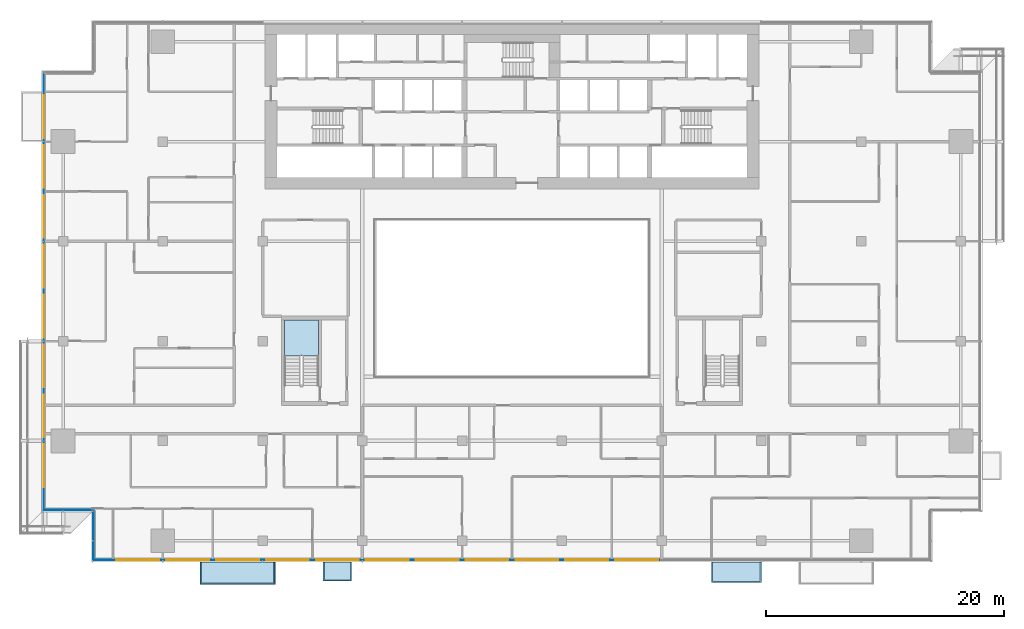
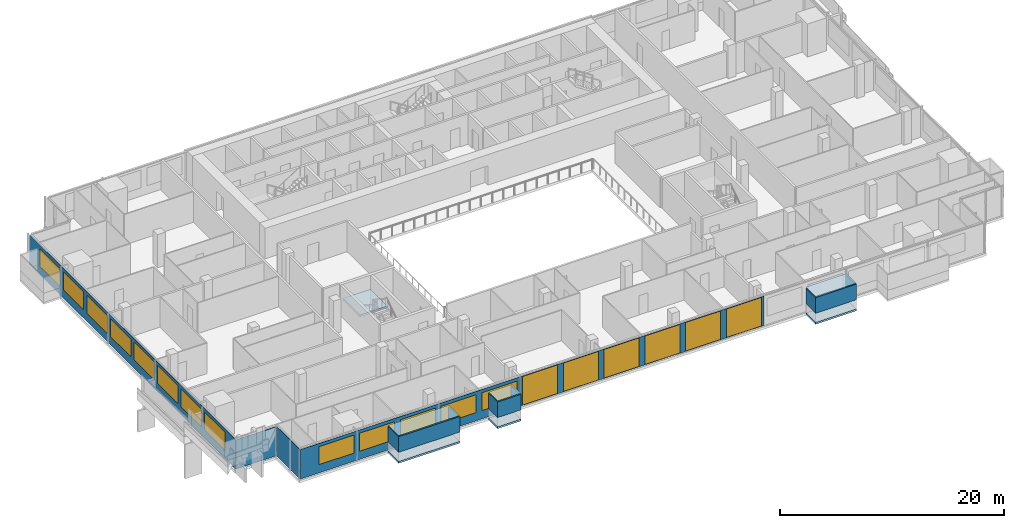
# One storey, part 15 of 29: 19 windows, 11 plates, 4 slabs, 19 openings, 5 elements without a shape of their own.
"""IFC4 building model written with IfcOpenShell, lengths in metres."""

from ifc_helpers import new_model, si_unit, direction, frame, frame_2d, origin, place, context, subcontext, project, spatial, polyline, rectangle, outline, extrude, material, layer, layer_set, type_object, element, fill, aggregate, save


model = new_model("IFC4")

# Units and contexts
model_context = context("Model", 3, precision=1e-05, world=origin(), true_north=direction((0.0, 1.0)))
body_context = subcontext(model_context, "Body", "Model", "MODEL_VIEW")
ifc_project = project(units=[si_unit("LENGTHUNIT", "METRE"), si_unit("AREAUNIT", "SQUARE_METRE"), si_unit("VOLUMEUNIT", "CUBIC_METRE"), si_unit("PLANEANGLEUNIT", "RADIAN"), si_unit("MASSUNIT", "GRAM", prefix="KILO")], contexts=[model_context])

# Site, building, storey
site_placement = place(None, origin())
site = spatial("IfcSite", under=ifc_project, at=site_placement, CompositionType="ELEMENT")
building_placement = place(site_placement, origin())
building = spatial("IfcBuilding", under=site, at=building_placement, Name="Saffron Gate Tower", CompositionType="ELEMENT")
storey_placement = place(building_placement, frame((0.0, 0.0, 113.25)))
storey = spatial("IfcBuildingStorey", under=building, at=storey_placement, Name="L26", CompositionType="ELEMENT", Elevation=113.25)

# Curtain wall, plates, openings, windows
ifc_material_1 = material(Name="Aluminium, bronze anodised", Category="aluminium")
curtain_wall_type_1 = type_object("IfcCurtainWallType", Name="CWS1 curtain wall front facade", PredefinedType="NOTDEFINED", material=ifc_material_1)
curtain_wall_1_placement = place(storey_placement, origin())
curtain_wall_1 = element("IfcCurtainWall", 1, at=curtain_wall_1_placement, inside=storey, type_object=curtain_wall_type_1, Name="CWS1 run 1", PredefinedType="NOTDEFINED")
ifc_material_2 = material(Name="Clear low-iron laminated glass", Category="glass")
ifc_layer_1 = layer(ifc_material_2, 0.028076171875)
ifc_layer_set_1 = layer_set([ifc_layer_1], Name="CWS1 clear glass")
plate_type_1 = type_object("IfcPlateType", Name="CWS1 clear glass", PredefinedType="CURTAIN_PANEL", material=ifc_layer_set_1)
plate_1_placement = place(storey_placement, frame((75.030029296875, 30.174072265625, 0.0), z_axis=(0.0, 0.0, 1.0), x_axis=(1.0, 0.0, 0.0)))
plate_1 = element("IfcPlate", 2, at=plate_1_placement, type_object=plate_type_1, Name="CWS1 clear glass panel", PredefinedType="CURTAIN_PANEL", context=body_context, shape_type="SweptSolid", body=[
    extrude(rectangle(XDim=25.139892578125, YDim=0.028076171875, at=frame_2d((12.56982421875, 0.0))), origin(), (0.0, 0.0, 1.0), 3.199951171875),
])
opening_1_placement = place(plate_1_placement, frame((0.27001953125, 0.0, 0.050048828125)))
opening_1 = element("IfcOpeningElement", 3, at=opening_1_placement, cuts=plate_1, Name="Opening WA", PredefinedType="OPENING", context=body_context, shape_type="SweptSolid", body=[
    extrude(rectangle(XDim=3.60009765625, YDim=3.10009765625, at=frame_2d((1.800048828125, 1.550048828125))), frame((0.0, 0.02392578125, 0.0), z_axis=(0.0, -1.0, 0.0), x_axis=(1.0, 0.0, 0.0)), (0.0, 0.0, 1.0), 0.048095703125),
])
opening_2_placement = place(plate_1_placement, frame((4.469970703125, 0.0, 0.050048828125)))
opening_2 = element("IfcOpeningElement", 4, at=opening_2_placement, cuts=plate_1, Name="Opening WA", PredefinedType="OPENING", context=body_context, shape_type="SweptSolid", body=[
    extrude(rectangle(XDim=3.60009765625, YDim=3.10009765625, at=frame_2d((1.800048828125, 1.550048828125))), frame((0.0, 0.02392578125, 0.0), z_axis=(0.0, -1.0, 0.0), x_axis=(1.0, 0.0, 0.0)), (0.0, 0.0, 1.0), 0.048095703125),
])
opening_3_placement = place(plate_1_placement, frame((8.669921875, 0.0, 0.050048828125)))
opening_3 = element("IfcOpeningElement", 5, at=opening_3_placement, cuts=plate_1, Name="Opening WA", PredefinedType="OPENING", context=body_context, shape_type="SweptSolid", body=[
    extrude(rectangle(XDim=3.60009765625, YDim=3.10009765625, at=frame_2d((1.800048828125, 1.550048828125))), frame((0.0, 0.02392578125, 0.0), z_axis=(0.0, -1.0, 0.0), x_axis=(1.0, 0.0, 0.0)), (0.0, 0.0, 1.0), 0.048095703125),
])
opening_4_placement = place(plate_1_placement, frame((12.8701171875, 0.0, 0.050048828125)))
opening_4 = element("IfcOpeningElement", 6, at=opening_4_placement, cuts=plate_1, Name="Opening WA", PredefinedType="OPENING", context=body_context, shape_type="SweptSolid", body=[
    extrude(rectangle(XDim=3.60009765625, YDim=3.10009765625, at=frame_2d((1.800048828125, 1.550048828125))), frame((0.0, 0.02392578125, 0.0), z_axis=(0.0, -1.0, 0.0), x_axis=(1.0, 0.0, 0.0)), (0.0, 0.0, 1.0), 0.048095703125),
])
opening_5_placement = place(plate_1_placement, frame((17.070068359375, 0.0, 0.050048828125)))
opening_5 = element("IfcOpeningElement", 7, at=opening_5_placement, cuts=plate_1, Name="Opening WA", PredefinedType="OPENING", context=body_context, shape_type="SweptSolid", body=[
    extrude(rectangle(XDim=3.60009765625, YDim=3.10009765625, at=frame_2d((1.800048828125, 1.550048828125))), frame((0.0, 0.02392578125, 0.0), z_axis=(0.0, -1.0, 0.0), x_axis=(1.0, 0.0, 0.0)), (0.0, 0.0, 1.0), 0.048095703125),
])
opening_6_placement = place(plate_1_placement, frame((21.27001953125, 0.0, 0.050048828125)))
opening_6 = element("IfcOpeningElement", 8, at=opening_6_placement, cuts=plate_1, Name="Opening WA", PredefinedType="OPENING", context=body_context, shape_type="SweptSolid", body=[
    extrude(rectangle(XDim=3.60009765625, YDim=3.10009765625, at=frame_2d((1.800048828125, 1.550048828125))), frame((0.0, 0.02392578125, 0.0), z_axis=(0.0, -1.0, 0.0), x_axis=(1.0, 0.0, 0.0)), (0.0, 0.0, 1.0), 0.048095703125),
])
ifc_material_3 = material(Name="Clear low-iron laminated glass in bronze frame", Category="glass")
ifc_layer_2 = layer(ifc_material_3, 0.06005859375)
ifc_layer_set_2 = layer_set([ifc_layer_2], Name="WA operable atrium unit 3600x3100")
window_type_1 = type_object("IfcWindowType", Name="WA operable atrium unit 3600x3100", PartitioningType="DOUBLE_PANEL_HORIZONTAL", PredefinedType="WINDOW", material=ifc_layer_set_2)
window_1_placement = place(opening_1_placement, origin())
window_1 = element("IfcWindow", 9, at=window_1_placement, type_object=window_type_1, Name="WA operable atrium unit", OverallHeight=3.10009765625, OverallWidth=3.60009765625, PartitioningType="SINGLE_PANEL", PredefinedType="WINDOW", context=body_context, shape_type="SweptSolid", body=[
    extrude(rectangle(XDim=3.60009765625, YDim=3.10009765625, at=frame_2d((1.800048828125, 1.550048828125))), frame((0.0, 0.013671875, 0.0), z_axis=(0.0, -1.0, 0.0), x_axis=(1.0, 0.0, 0.0)), (0.0, 0.0, 1.0), 0.027587890625),
])
fill(opening_1, window_1)
window_2_placement = place(opening_2_placement, origin())
window_2 = element("IfcWindow", 10, at=window_2_placement, type_object=window_type_1, Name="WA operable atrium unit", OverallHeight=3.10009765625, OverallWidth=3.60009765625, PartitioningType="SINGLE_PANEL", PredefinedType="WINDOW", context=body_context, shape_type="SweptSolid", body=[
    extrude(rectangle(XDim=3.60009765625, YDim=3.10009765625, at=frame_2d((1.800048828125, 1.550048828125))), frame((0.0, 0.013671875, 0.0), z_axis=(0.0, -1.0, 0.0), x_axis=(1.0, 0.0, 0.0)), (0.0, 0.0, 1.0), 0.027587890625),
])
fill(opening_2, window_2)
window_3_placement = place(opening_3_placement, origin())
window_3 = element("IfcWindow", 11, at=window_3_placement, type_object=window_type_1, Name="WA operable atrium unit", OverallHeight=3.10009765625, OverallWidth=3.60009765625, PartitioningType="SINGLE_PANEL", PredefinedType="WINDOW", context=body_context, shape_type="SweptSolid", body=[
    extrude(rectangle(XDim=3.60009765625, YDim=3.10009765625, at=frame_2d((1.800048828125, 1.550048828125))), frame((0.0, 0.013671875, 0.0), z_axis=(0.0, -1.0, 0.0), x_axis=(1.0, 0.0, 0.0)), (0.0, 0.0, 1.0), 0.027587890625),
])
fill(opening_3, window_3)
window_4_placement = place(opening_4_placement, origin())
window_4 = element("IfcWindow", 12, at=window_4_placement, type_object=window_type_1, Name="WA operable atrium unit", OverallHeight=3.10009765625, OverallWidth=3.60009765625, PartitioningType="SINGLE_PANEL", PredefinedType="WINDOW", context=body_context, shape_type="SweptSolid", body=[
    extrude(rectangle(XDim=3.60009765625, YDim=3.10009765625, at=frame_2d((1.800048828125, 1.550048828125))), frame((0.0, 0.013671875, 0.0), z_axis=(0.0, -1.0, 0.0), x_axis=(1.0, 0.0, 0.0)), (0.0, 0.0, 1.0), 0.027587890625),
])
fill(opening_4, window_4)
window_5_placement = place(opening_5_placement, origin())
window_5 = element("IfcWindow", 13, at=window_5_placement, type_object=window_type_1, Name="WA operable atrium unit", OverallHeight=3.10009765625, OverallWidth=3.60009765625, PartitioningType="SINGLE_PANEL", PredefinedType="WINDOW", context=body_context, shape_type="SweptSolid", body=[
    extrude(rectangle(XDim=3.60009765625, YDim=3.10009765625, at=frame_2d((1.800048828125, 1.550048828125))), frame((0.0, 0.013671875, 0.0), z_axis=(0.0, -1.0, 0.0), x_axis=(1.0, 0.0, 0.0)), (0.0, 0.0, 1.0), 0.027587890625),
])
fill(opening_5, window_5)
window_6_placement = place(opening_6_placement, origin())
window_6 = element("IfcWindow", 14, at=window_6_placement, type_object=window_type_1, Name="WA operable atrium unit", OverallHeight=3.10009765625, OverallWidth=3.60009765625, PartitioningType="SINGLE_PANEL", PredefinedType="WINDOW", context=body_context, shape_type="SweptSolid", body=[
    extrude(rectangle(XDim=3.60009765625, YDim=3.10009765625, at=frame_2d((1.800048828125, 1.550048828125))), frame((0.0, 0.013671875, 0.0), z_axis=(0.0, -1.0, 0.0), x_axis=(1.0, 0.0, 0.0)), (0.0, 0.0, 1.0), 0.027587890625),
])
fill(opening_6, window_6)
ifc_material_4 = material(Name="Fritted bronze-tinted laminated glass", Category="glass")
ifc_layer_3 = layer(ifc_material_4, 0.028076171875)
ifc_layer_set_3 = layer_set([ifc_layer_3], Name="CWS1 fixed glass")
plate_type_2 = type_object("IfcPlateType", Name="CWS1 fixed glass", PredefinedType="CURTAIN_PANEL", material=ifc_layer_set_3)
plate_2_placement = place(storey_placement, frame((52.387939453125, 30.174072265625, 0.0), z_axis=(0.0, 0.0, 1.0), x_axis=(1.0, 0.0, 0.0)))
plate_2 = element("IfcPlate", 15, at=plate_2_placement, type_object=plate_type_2, Name="CWS1 glass panel", PredefinedType="CURTAIN_PANEL", context=body_context, shape_type="SweptSolid", body=[
    extrude(rectangle(XDim=22.64208984375, YDim=0.028076171875, at=frame_2d((11.321044921875, 0.0))), origin(), (0.0, 0.0, 1.0), 3.199951171875),
])
opening_7_placement = place(plate_2_placement, frame((1.912109375, 0.0, 0.89990234375)))
opening_7 = element("IfcOpeningElement", 16, at=opening_7_placement, cuts=plate_2, Name="Opening W1", PredefinedType="OPENING", context=body_context, shape_type="SweptSolid", body=[
    extrude(rectangle(XDim=3.60009765625, YDim=1.949951171875, at=frame_2d((1.800048828125, 0.97509765625))), frame((0.0, 0.02392578125, 0.0), z_axis=(0.0, -1.0, 0.0), x_axis=(1.0, 0.0, 0.0)), (0.0, 0.0, 1.0), 0.048095703125),
])
opening_8_placement = place(plate_2_placement, frame((6.112060546875, 0.0, 0.89990234375)))
opening_8 = element("IfcOpeningElement", 17, at=opening_8_placement, cuts=plate_2, Name="Opening W1", PredefinedType="OPENING", context=body_context, shape_type="SweptSolid", body=[
    extrude(rectangle(XDim=3.60009765625, YDim=1.949951171875, at=frame_2d((1.800048828125, 0.97509765625))), frame((0.0, 0.02392578125, 0.0), z_axis=(0.0, -1.0, 0.0), x_axis=(1.0, 0.0, 0.0)), (0.0, 0.0, 1.0), 0.048095703125),
])
opening_9_placement = place(plate_2_placement, frame((10.31201171875, 0.0, 0.89990234375)))
opening_9 = element("IfcOpeningElement", 18, at=opening_9_placement, cuts=plate_2, Name="Opening W1", PredefinedType="OPENING", context=body_context, shape_type="SweptSolid", body=[
    extrude(rectangle(XDim=3.60009765625, YDim=1.949951171875, at=frame_2d((1.800048828125, 0.97509765625))), frame((0.0, 0.02392578125, 0.0), z_axis=(0.0, -1.0, 0.0), x_axis=(1.0, 0.0, 0.0)), (0.0, 0.0, 1.0), 0.048095703125),
])
opening_10_placement = place(plate_2_placement, frame((14.511962890625, 0.0, 0.89990234375)))
opening_10 = element("IfcOpeningElement", 19, at=opening_10_placement, cuts=plate_2, Name="Opening W1", PredefinedType="OPENING", context=body_context, shape_type="SweptSolid", body=[
    extrude(rectangle(XDim=3.60009765625, YDim=1.949951171875, at=frame_2d((1.800048828125, 0.97509765625))), frame((0.0, 0.02392578125, 0.0), z_axis=(0.0, -1.0, 0.0), x_axis=(1.0, 0.0, 0.0)), (0.0, 0.0, 1.0), 0.048095703125),
])
opening_11_placement = place(plate_2_placement, frame((18.7119140625, 0.0, 0.89990234375)))
opening_11 = element("IfcOpeningElement", 20, at=opening_11_placement, cuts=plate_2, Name="Opening W1", PredefinedType="OPENING", context=body_context, shape_type="SweptSolid", body=[
    extrude(rectangle(XDim=3.60009765625, YDim=1.949951171875, at=frame_2d((1.800048828125, 0.97509765625))), frame((0.0, 0.02392578125, 0.0), z_axis=(0.0, -1.0, 0.0), x_axis=(1.0, 0.0, 0.0)), (0.0, 0.0, 1.0), 0.048095703125),
])
ifc_material_5 = material(Name="Fritted bronze-tinted laminated glass in bronze frame", Category="glass")
ifc_layer_4 = layer(ifc_material_5, 0.06005859375)
ifc_layer_set_4 = layer_set([ifc_layer_4], Name="W1 operable panel 3600x1950")
window_type_2 = type_object("IfcWindowType", Name="W1 operable panel 3600x1950", PartitioningType="DOUBLE_PANEL_HORIZONTAL", PredefinedType="WINDOW", material=ifc_layer_set_4)
window_7_placement = place(opening_7_placement, origin())
window_7 = element("IfcWindow", 21, at=window_7_placement, type_object=window_type_2, Name="W1 operable panel", OverallHeight=1.949951171875, OverallWidth=3.60009765625, PartitioningType="SINGLE_PANEL", PredefinedType="WINDOW", context=body_context, shape_type="SweptSolid", body=[
    extrude(rectangle(XDim=3.60009765625, YDim=1.949951171875, at=frame_2d((1.800048828125, 0.97509765625))), frame((0.0, 0.013671875, 0.0), z_axis=(0.0, -1.0, 0.0), x_axis=(1.0, 0.0, 0.0)), (0.0, 0.0, 1.0), 0.027587890625),
])
fill(opening_7, window_7)
window_8_placement = place(opening_8_placement, origin())
window_8 = element("IfcWindow", 22, at=window_8_placement, type_object=window_type_2, Name="W1 operable panel", OverallHeight=1.949951171875, OverallWidth=3.60009765625, PartitioningType="SINGLE_PANEL", PredefinedType="WINDOW", context=body_context, shape_type="SweptSolid", body=[
    extrude(rectangle(XDim=3.60009765625, YDim=1.949951171875, at=frame_2d((1.800048828125, 0.97509765625))), frame((0.0, 0.013671875, 0.0), z_axis=(0.0, -1.0, 0.0), x_axis=(1.0, 0.0, 0.0)), (0.0, 0.0, 1.0), 0.027587890625),
])
fill(opening_8, window_8)
window_9_placement = place(opening_9_placement, origin())
window_9 = element("IfcWindow", 23, at=window_9_placement, type_object=window_type_2, Name="W1 operable panel", OverallHeight=1.949951171875, OverallWidth=3.60009765625, PartitioningType="SINGLE_PANEL", PredefinedType="WINDOW", context=body_context, shape_type="SweptSolid", body=[
    extrude(rectangle(XDim=3.60009765625, YDim=1.949951171875, at=frame_2d((1.800048828125, 0.97509765625))), frame((0.0, 0.013671875, 0.0), z_axis=(0.0, -1.0, 0.0), x_axis=(1.0, 0.0, 0.0)), (0.0, 0.0, 1.0), 0.027587890625),
])
fill(opening_9, window_9)
window_10_placement = place(opening_10_placement, origin())
window_10 = element("IfcWindow", 24, at=window_10_placement, type_object=window_type_2, Name="W1 operable panel", OverallHeight=1.949951171875, OverallWidth=3.60009765625, PartitioningType="SINGLE_PANEL", PredefinedType="WINDOW", context=body_context, shape_type="SweptSolid", body=[
    extrude(rectangle(XDim=3.60009765625, YDim=1.949951171875, at=frame_2d((1.800048828125, 0.97509765625))), frame((0.0, 0.013671875, 0.0), z_axis=(0.0, -1.0, 0.0), x_axis=(1.0, 0.0, 0.0)), (0.0, 0.0, 1.0), 0.027587890625),
])
fill(opening_10, window_10)
window_11_placement = place(opening_11_placement, origin())
window_11 = element("IfcWindow", 25, at=window_11_placement, type_object=window_type_2, Name="W1 operable panel", OverallHeight=1.949951171875, OverallWidth=3.60009765625, PartitioningType="SINGLE_PANEL", PredefinedType="WINDOW", context=body_context, shape_type="SweptSolid", body=[
    extrude(rectangle(XDim=3.60009765625, YDim=1.949951171875, at=frame_2d((1.800048828125, 0.97509765625))), frame((0.0, 0.013671875, 0.0), z_axis=(0.0, -1.0, 0.0), x_axis=(1.0, 0.0, 0.0)), (0.0, 0.0, 1.0), 0.027587890625),
])
fill(opening_11, window_11)
aggregate(curtain_wall_1, [plate_2, plate_1, window_7, window_8, window_9, window_10, window_11, window_1, window_2, window_3, window_4, window_5, window_6])

# Curtain wall, plate, openings, windows
curtain_wall_type_2 = type_object("IfcCurtainWallType", Name="CWS2 curtain wall side facades", PredefinedType="NOTDEFINED", material=ifc_material_1)
curtain_wall_2_placement = place(storey_placement, origin())
curtain_wall_2 = element("IfcCurtainWall", 26, at=curtain_wall_2_placement, inside=storey, type_object=curtain_wall_type_2, Name="CWS2 run 10", PredefinedType="NOTDEFINED")
ifc_layer_5 = layer(ifc_material_4, 0.028076171875)
ifc_layer_set_5 = layer_set([ifc_layer_5], Name="CWS2 fixed glass")
plate_type_3 = type_object("IfcPlateType", Name="CWS2 fixed glass", PredefinedType="CURTAIN_PANEL", material=ifc_layer_set_5)
plate_3_placement = place(storey_placement, frame((48.174072265625, 71.2119140625, 0.0), z_axis=(0.0, 0.0, 1.0), x_axis=(0.0, -1.0, 0.0)))
plate_3 = element("IfcPlate", 27, at=plate_3_placement, type_object=plate_type_3, Name="CWS2 glass panel", PredefinedType="CURTAIN_PANEL", context=body_context, shape_type="SweptSolid", body=[
    extrude(rectangle(XDim=36.823974609375, YDim=0.028076171875, at=frame_2d((18.412109375, 0.0))), origin(), (0.0, 0.0, 1.0), 3.199951171875),
])
opening_12_placement = place(plate_3_placement, frame((1.912109375, 0.0, 0.89990234375)))
opening_12 = element("IfcOpeningElement", 28, at=opening_12_placement, cuts=plate_3, Name="Opening W1", PredefinedType="OPENING", context=body_context, shape_type="SweptSolid", body=[
    extrude(rectangle(XDim=3.60009765625, YDim=1.949951171875, at=frame_2d((1.800048828125, 0.97509765625))), frame((0.0, 0.02392578125, 0.0), z_axis=(0.0, -1.0, 0.0), x_axis=(1.0, 0.0, 0.0)), (0.0, 0.0, 1.0), 0.048095703125),
])
opening_13_placement = place(plate_3_placement, frame((6.112060546875, 0.0, 0.89990234375)))
opening_13 = element("IfcOpeningElement", 29, at=opening_13_placement, cuts=plate_3, Name="Opening W1", PredefinedType="OPENING", context=body_context, shape_type="SweptSolid", body=[
    extrude(rectangle(XDim=3.60009765625, YDim=1.949951171875, at=frame_2d((1.800048828125, 0.97509765625))), frame((0.0, 0.02392578125, 0.0), z_axis=(0.0, -1.0, 0.0), x_axis=(1.0, 0.0, 0.0)), (0.0, 0.0, 1.0), 0.048095703125),
])
opening_14_placement = place(plate_3_placement, frame((10.31201171875, 0.0, 0.89990234375)))
opening_14 = element("IfcOpeningElement", 30, at=opening_14_placement, cuts=plate_3, Name="Opening W1", PredefinedType="OPENING", context=body_context, shape_type="SweptSolid", body=[
    extrude(rectangle(XDim=3.60009765625, YDim=1.949951171875, at=frame_2d((1.800048828125, 0.97509765625))), frame((0.0, 0.02392578125, 0.0), z_axis=(0.0, -1.0, 0.0), x_axis=(1.0, 0.0, 0.0)), (0.0, 0.0, 1.0), 0.048095703125),
])
opening_15_placement = place(plate_3_placement, frame((14.511962890625, 0.0, 0.89990234375)))
opening_15 = element("IfcOpeningElement", 31, at=opening_15_placement, cuts=plate_3, Name="Opening W1", PredefinedType="OPENING", context=body_context, shape_type="SweptSolid", body=[
    extrude(rectangle(XDim=3.60009765625, YDim=1.949951171875, at=frame_2d((1.800048828125, 0.97509765625))), frame((0.0, 0.02392578125, 0.0), z_axis=(0.0, -1.0, 0.0), x_axis=(1.0, 0.0, 0.0)), (0.0, 0.0, 1.0), 0.048095703125),
])
opening_16_placement = place(plate_3_placement, frame((18.7119140625, 0.0, 0.89990234375)))
opening_16 = element("IfcOpeningElement", 32, at=opening_16_placement, cuts=plate_3, Name="Opening W1", PredefinedType="OPENING", context=body_context, shape_type="SweptSolid", body=[
    extrude(rectangle(XDim=3.60009765625, YDim=1.949951171875, at=frame_2d((1.800048828125, 0.97509765625))), frame((0.0, 0.02392578125, 0.0), z_axis=(0.0, -1.0, 0.0), x_axis=(1.0, 0.0, 0.0)), (0.0, 0.0, 1.0), 0.048095703125),
])
opening_17_placement = place(plate_3_placement, frame((22.912109375, 0.0, 0.89990234375)))
opening_17 = element("IfcOpeningElement", 33, at=opening_17_placement, cuts=plate_3, Name="Opening W1", PredefinedType="OPENING", context=body_context, shape_type="SweptSolid", body=[
    extrude(rectangle(XDim=3.60009765625, YDim=1.949951171875, at=frame_2d((1.800048828125, 0.97509765625))), frame((0.0, 0.02392578125, 0.0), z_axis=(0.0, -1.0, 0.0), x_axis=(1.0, 0.0, 0.0)), (0.0, 0.0, 1.0), 0.048095703125),
])
opening_18_placement = place(plate_3_placement, frame((27.112060546875, 0.0, 0.89990234375)))
opening_18 = element("IfcOpeningElement", 34, at=opening_18_placement, cuts=plate_3, Name="Opening W1", PredefinedType="OPENING", context=body_context, shape_type="SweptSolid", body=[
    extrude(rectangle(XDim=3.60009765625, YDim=1.949951171875, at=frame_2d((1.800048828125, 0.97509765625))), frame((0.0, 0.02392578125, 0.0), z_axis=(0.0, -1.0, 0.0), x_axis=(1.0, 0.0, 0.0)), (0.0, 0.0, 1.0), 0.048095703125),
])
opening_19_placement = place(plate_3_placement, frame((31.31201171875, 0.0, 0.89990234375)))
opening_19 = element("IfcOpeningElement", 35, at=opening_19_placement, cuts=plate_3, Name="Opening W1", PredefinedType="OPENING", context=body_context, shape_type="SweptSolid", body=[
    extrude(rectangle(XDim=3.60009765625, YDim=1.949951171875, at=frame_2d((1.800048828125, 0.97509765625))), frame((0.0, 0.02392578125, 0.0), z_axis=(0.0, -1.0, 0.0), x_axis=(1.0, 0.0, 0.0)), (0.0, 0.0, 1.0), 0.048095703125),
])
window_12_placement = place(opening_12_placement, origin())
window_12 = element("IfcWindow", 36, at=window_12_placement, type_object=window_type_2, Name="W1 operable panel", OverallHeight=1.949951171875, OverallWidth=3.60009765625, PartitioningType="SINGLE_PANEL", PredefinedType="WINDOW", context=body_context, shape_type="SweptSolid", body=[
    extrude(rectangle(XDim=3.60009765625, YDim=1.949951171875, at=frame_2d((1.800048828125, 0.97509765625))), frame((0.0, 0.013671875, 0.0), z_axis=(0.0, -1.0, 0.0), x_axis=(1.0, 0.0, 0.0)), (0.0, 0.0, 1.0), 0.027587890625),
])
fill(opening_12, window_12)
window_13_placement = place(opening_13_placement, origin())
window_13 = element("IfcWindow", 37, at=window_13_placement, type_object=window_type_2, Name="W1 operable panel", OverallHeight=1.949951171875, OverallWidth=3.60009765625, PartitioningType="SINGLE_PANEL", PredefinedType="WINDOW", context=body_context, shape_type="SweptSolid", body=[
    extrude(rectangle(XDim=3.60009765625, YDim=1.949951171875, at=frame_2d((1.800048828125, 0.97509765625))), frame((0.0, 0.013671875, 0.0), z_axis=(0.0, -1.0, 0.0), x_axis=(1.0, 0.0, 0.0)), (0.0, 0.0, 1.0), 0.027587890625),
])
fill(opening_13, window_13)
window_14_placement = place(opening_14_placement, origin())
window_14 = element("IfcWindow", 38, at=window_14_placement, type_object=window_type_2, Name="W1 operable panel", OverallHeight=1.949951171875, OverallWidth=3.60009765625, PartitioningType="SINGLE_PANEL", PredefinedType="WINDOW", context=body_context, shape_type="SweptSolid", body=[
    extrude(rectangle(XDim=3.60009765625, YDim=1.949951171875, at=frame_2d((1.800048828125, 0.97509765625))), frame((0.0, 0.013671875, 0.0), z_axis=(0.0, -1.0, 0.0), x_axis=(1.0, 0.0, 0.0)), (0.0, 0.0, 1.0), 0.027587890625),
])
fill(opening_14, window_14)
window_15_placement = place(opening_15_placement, origin())
window_15 = element("IfcWindow", 39, at=window_15_placement, type_object=window_type_2, Name="W1 operable panel", OverallHeight=1.949951171875, OverallWidth=3.60009765625, PartitioningType="SINGLE_PANEL", PredefinedType="WINDOW", context=body_context, shape_type="SweptSolid", body=[
    extrude(rectangle(XDim=3.60009765625, YDim=1.949951171875, at=frame_2d((1.800048828125, 0.97509765625))), frame((0.0, 0.013671875, 0.0), z_axis=(0.0, -1.0, 0.0), x_axis=(1.0, 0.0, 0.0)), (0.0, 0.0, 1.0), 0.027587890625),
])
fill(opening_15, window_15)
window_16_placement = place(opening_16_placement, origin())
window_16 = element("IfcWindow", 40, at=window_16_placement, type_object=window_type_2, Name="W1 operable panel", OverallHeight=1.949951171875, OverallWidth=3.60009765625, PartitioningType="SINGLE_PANEL", PredefinedType="WINDOW", context=body_context, shape_type="SweptSolid", body=[
    extrude(rectangle(XDim=3.60009765625, YDim=1.949951171875, at=frame_2d((1.800048828125, 0.97509765625))), frame((0.0, 0.013671875, 0.0), z_axis=(0.0, -1.0, 0.0), x_axis=(1.0, 0.0, 0.0)), (0.0, 0.0, 1.0), 0.027587890625),
])
fill(opening_16, window_16)
window_17_placement = place(opening_17_placement, origin())
window_17 = element("IfcWindow", 41, at=window_17_placement, type_object=window_type_2, Name="W1 operable panel", OverallHeight=1.949951171875, OverallWidth=3.60009765625, PartitioningType="SINGLE_PANEL", PredefinedType="WINDOW", context=body_context, shape_type="SweptSolid", body=[
    extrude(rectangle(XDim=3.60009765625, YDim=1.949951171875, at=frame_2d((1.800048828125, 0.97509765625))), frame((0.0, 0.013671875, 0.0), z_axis=(0.0, -1.0, 0.0), x_axis=(1.0, 0.0, 0.0)), (0.0, 0.0, 1.0), 0.027587890625),
])
fill(opening_17, window_17)
window_18_placement = place(opening_18_placement, origin())
window_18 = element("IfcWindow", 42, at=window_18_placement, type_object=window_type_2, Name="W1 operable panel", OverallHeight=1.949951171875, OverallWidth=3.60009765625, PartitioningType="SINGLE_PANEL", PredefinedType="WINDOW", context=body_context, shape_type="SweptSolid", body=[
    extrude(rectangle(XDim=3.60009765625, YDim=1.949951171875, at=frame_2d((1.800048828125, 0.97509765625))), frame((0.0, 0.013671875, 0.0), z_axis=(0.0, -1.0, 0.0), x_axis=(1.0, 0.0, 0.0)), (0.0, 0.0, 1.0), 0.027587890625),
])
fill(opening_18, window_18)
window_19_placement = place(opening_19_placement, origin())
window_19 = element("IfcWindow", 43, at=window_19_placement, type_object=window_type_2, Name="W1 operable panel", OverallHeight=1.949951171875, OverallWidth=3.60009765625, PartitioningType="SINGLE_PANEL", PredefinedType="WINDOW", context=body_context, shape_type="SweptSolid", body=[
    extrude(rectangle(XDim=3.60009765625, YDim=1.949951171875, at=frame_2d((1.800048828125, 0.97509765625))), frame((0.0, 0.013671875, 0.0), z_axis=(0.0, -1.0, 0.0), x_axis=(1.0, 0.0, 0.0)), (0.0, 0.0, 1.0), 0.027587890625),
])
fill(opening_19, window_19)
aggregate(curtain_wall_2, [plate_3, window_12, window_13, window_14, window_15, window_16, window_17, window_18, window_19])

# Curtain wall, plate
curtain_wall_type_3 = type_object("IfcCurtainWallType", Name="CWS4 curtain wall corner returns", PredefinedType="NOTDEFINED", material=ifc_material_1)
curtain_wall_3_placement = place(storey_placement, origin())
curtain_wall_3 = element("IfcCurtainWall", 44, at=curtain_wall_3_placement, inside=storey, type_object=curtain_wall_type_3, Name="CWS4 run 11", PredefinedType="NOTDEFINED")
ifc_layer_6 = layer(ifc_material_4, 0.028076171875)
ifc_layer_set_6 = layer_set([ifc_layer_6], Name="CWS4 fixed glass")
plate_type_4 = type_object("IfcPlateType", Name="CWS4 fixed glass", PredefinedType="CURTAIN_PANEL", material=ifc_layer_set_6)
plate_4_placement = place(storey_placement, frame((48.18798828125, 34.3740234375, 0.0), z_axis=(0.0, 0.0, 1.0), x_axis=(1.0, 0.0, 0.0)))
plate_4 = element("IfcPlate", 45, at=plate_4_placement, type_object=plate_type_4, Name="CWS4 glass panel", PredefinedType="CURTAIN_PANEL", context=body_context, shape_type="SweptSolid", body=[
    extrude(rectangle(XDim=4.172119140625, YDim=0.028076171875, at=frame_2d((2.0859375, 0.0))), origin(), (0.0, 0.0, 1.0), 3.199951171875),
])
aggregate(curtain_wall_3, [plate_4])

curtain_wall_4_placement = place(storey_placement, origin())
curtain_wall_4 = element("IfcCurtainWall", 46, at=curtain_wall_4_placement, inside=storey, type_object=curtain_wall_type_3, Name="CWS4 run 12", PredefinedType="NOTDEFINED")
plate_5_placement = place(storey_placement, frame((52.3740234375, 34.360107421875, 0.0), z_axis=(0.0, 0.0, 1.0), x_axis=(0.0, -1.0, 0.0)))
plate_5 = element("IfcPlate", 47, at=plate_5_placement, type_object=plate_type_4, Name="CWS4 glass panel", PredefinedType="CURTAIN_PANEL", context=body_context, shape_type="SweptSolid", body=[
    extrude(rectangle(XDim=4.172119140625, YDim=0.028076171875, at=frame_2d((2.0859375, 0.0))), origin(), (0.0, 0.0, 1.0), 3.199951171875),
])
aggregate(curtain_wall_4, [plate_5])

# Stair, slab
ifc_material_6 = material(Name="Concrete C40", Category="concrete")
stair_type = type_object("IfcStairType", Name="ST7 Stair 1350 wide, 20 risers of 180", PredefinedType="HALF_TURN_STAIR", material=ifc_material_6)
stair_placement = place(storey_placement, origin())
stair = element("IfcStair", 48, at=stair_placement, inside=storey, type_object=stair_type, Name="L26 Exit stair D", PredefinedType="HALF_TURN_STAIR")
ifc_layer_7 = layer(ifc_material_6, 0.199951171875)
ifc_layer_set_7 = layer_set([ifc_layer_7], Name="SL1 Stair landing 200")
slab_type_1 = type_object("IfcSlabType", Name="SL1 Stair landing 200", PredefinedType="LANDING", material=ifc_layer_set_7)
slab_1_placement = place(storey_placement, frame((0.0, 0.0, 1.60009765625)))
slab_1 = element("IfcSlab", 49, at=slab_1_placement, type_object=slab_type_1, Name="ST-D landing 1", PredefinedType="LANDING", context=body_context, shape_type="SweptSolid", body=[
    extrude(outline(polyline([(71.300048828125, 47.3701171875), (71.300048828125, 50.39990234375), (68.449951171875, 50.39990234375), (68.449951171875, 47.3701171875), (71.300048828125, 47.3701171875)])), origin(), (0.0, 0.0, 1.0), 0.199951171875),
])
aggregate(stair, [slab_1])

# Slabs
ifc_material_7 = material(Name="Timber deck on bronze frame", Category="wood")
ifc_layer_8 = layer(ifc_material_7, 0.199951171875)
ifc_layer_set_8 = layer_set([ifc_layer_8], Name="WB1 box floor")
slab_type_2 = type_object("IfcSlabType", Name="WB1 box floor", PredefinedType="FLOOR", material=ifc_layer_set_8)
slab_2_placement = place(storey_placement, frame((0.0, 0.0, -0.199951171875)))
element("IfcSlab", 50, at=slab_2_placement, inside=storey, type_object=slab_type_2, Name="WINDOW BOX floor", PredefinedType="FLOOR", context=body_context, shape_type="SweptSolid", body=[
    extrude(outline(polyline([(61.35009765625, 30.0), (67.64990234375, 30.0), (67.64990234375, 28.133056640625), (61.35009765625, 28.133056640625), (61.35009765625, 30.0)])), origin(), (0.0, 0.0, 1.0), 0.199951171875),
])
slab_3_placement = place(storey_placement, frame((0.0, 0.0, -0.199951171875)))
element("IfcSlab", 51, at=slab_3_placement, inside=storey, type_object=slab_type_2, Name="WINDOW BOX floor", PredefinedType="FLOOR", context=body_context, shape_type="SweptSolid", body=[
    extrude(outline(polyline([(71.699951171875, 30.0), (74.10009765625, 30.0), (74.10009765625, 28.39990234375), (71.699951171875, 28.39990234375), (71.699951171875, 30.0)])), origin(), (0.0, 0.0, 1.0), 0.199951171875),
])
slab_4_placement = place(storey_placement, frame((0.0, 0.0, -0.199951171875)))
element("IfcSlab", 52, at=slab_4_placement, inside=storey, type_object=slab_type_2, Name="WINDOW BOX floor", PredefinedType="FLOOR", context=body_context, shape_type="SweptSolid", body=[
    extrude(outline(polyline([(104.39990234375, 30.0), (108.60009765625, 30.0), (108.60009765625, 28.26708984375), (104.39990234375, 28.26708984375), (104.39990234375, 30.0)])), origin(), (0.0, 0.0, 1.0), 0.199951171875),
])

# Plates
ifc_layer_9 = layer(ifc_material_1, 0.1201171875)
ifc_layer_set_9 = layer_set([ifc_layer_9], Name="WB2 box roof")
plate_type_5 = type_object("IfcPlateType", Name="WB2 box roof", PredefinedType="SHEET", material=ifc_layer_set_9)
plate_6_placement = place(storey_placement, frame((0.0, 0.0, 2.699951171875)))
element("IfcPlate", 53, at=plate_6_placement, inside=storey, type_object=plate_type_5, Name="WINDOW BOX roof", PredefinedType="SHEET", context=body_context, shape_type="SweptSolid", body=[
    extrude(outline(polyline([(61.35009765625, 30.0), (67.64990234375, 30.0), (67.64990234375, 28.133056640625), (61.35009765625, 28.133056640625), (61.35009765625, 30.0)])), origin(), (0.0, 0.0, 1.0), 0.1201171875),
])
plate_7_placement = place(storey_placement, frame((0.0, 0.0, 2.699951171875)))
element("IfcPlate", 54, at=plate_7_placement, inside=storey, type_object=plate_type_5, Name="WINDOW BOX roof", PredefinedType="SHEET", context=body_context, shape_type="SweptSolid", body=[
    extrude(outline(polyline([(71.699951171875, 30.0), (74.10009765625, 30.0), (74.10009765625, 28.39990234375), (71.699951171875, 28.39990234375), (71.699951171875, 30.0)])), origin(), (0.0, 0.0, 1.0), 0.1201171875),
])
plate_8_placement = place(storey_placement, frame((0.0, 0.0, 2.699951171875)))
element("IfcPlate", 55, at=plate_8_placement, inside=storey, type_object=plate_type_5, Name="WINDOW BOX roof", PredefinedType="SHEET", context=body_context, shape_type="SweptSolid", body=[
    extrude(outline(polyline([(104.39990234375, 30.0), (108.60009765625, 30.0), (108.60009765625, 28.26708984375), (104.39990234375, 28.26708984375), (104.39990234375, 30.0)])), origin(), (0.0, 0.0, 1.0), 0.1201171875),
])
ifc_layer_10 = layer(ifc_material_2, 0.10009765625)
ifc_layer_set_10 = layer_set([ifc_layer_10], Name="WB6 box glazing")
plate_type_6 = type_object("IfcPlateType", Name="WB6 box glazing", PredefinedType="SHEET", material=ifc_layer_set_10)
plate_9_placement = place(storey_placement, frame((0.0, 0.0, 1.0)))
element("IfcPlate", 56, at=plate_9_placement, inside=storey, type_object=plate_type_6, Name="WINDOW BOX glazing", PredefinedType="SHEET", context=body_context, shape_type="SweptSolid", body=[
    extrude(outline(polyline([(61.35009765625, 30.0), (61.449951171875, 30.0), (61.449951171875, 28.23291015625), (67.550048828125, 28.23291015625), (67.550048828125, 30.0), (67.64990234375, 30.0), (67.64990234375, 28.133056640625), (61.35009765625, 28.133056640625), (61.35009765625, 30.0)])), origin(), (0.0, 0.0, 1.0), 1.699951171875),
])
plate_10_placement = place(storey_placement, frame((0.0, 0.0, 1.0)))
element("IfcPlate", 57, at=plate_10_placement, inside=storey, type_object=plate_type_6, Name="WINDOW BOX glazing", PredefinedType="SHEET", context=body_context, shape_type="SweptSolid", body=[
    extrude(outline(polyline([(71.699951171875, 30.0), (71.800048828125, 30.0), (71.800048828125, 28.5), (74.0, 28.5), (74.0, 30.0), (74.10009765625, 30.0), (74.10009765625, 28.39990234375), (71.699951171875, 28.39990234375), (71.699951171875, 30.0)])), origin(), (0.0, 0.0, 1.0), 1.699951171875),
])
plate_11_placement = place(storey_placement, frame((0.0, 0.0, 1.0)))
element("IfcPlate", 58, at=plate_11_placement, inside=storey, type_object=plate_type_6, Name="WINDOW BOX glazing", PredefinedType="SHEET", context=body_context, shape_type="SweptSolid", body=[
    extrude(outline(polyline([(104.39990234375, 30.0), (104.5, 30.0), (104.5, 28.366943359375), (108.5, 28.366943359375), (108.5, 30.0), (108.60009765625, 30.0), (108.60009765625, 28.26708984375), (104.39990234375, 28.26708984375), (104.39990234375, 30.0)])), origin(), (0.0, 0.0, 1.0), 1.699951171875),
])

save(model, "model.ifc")
